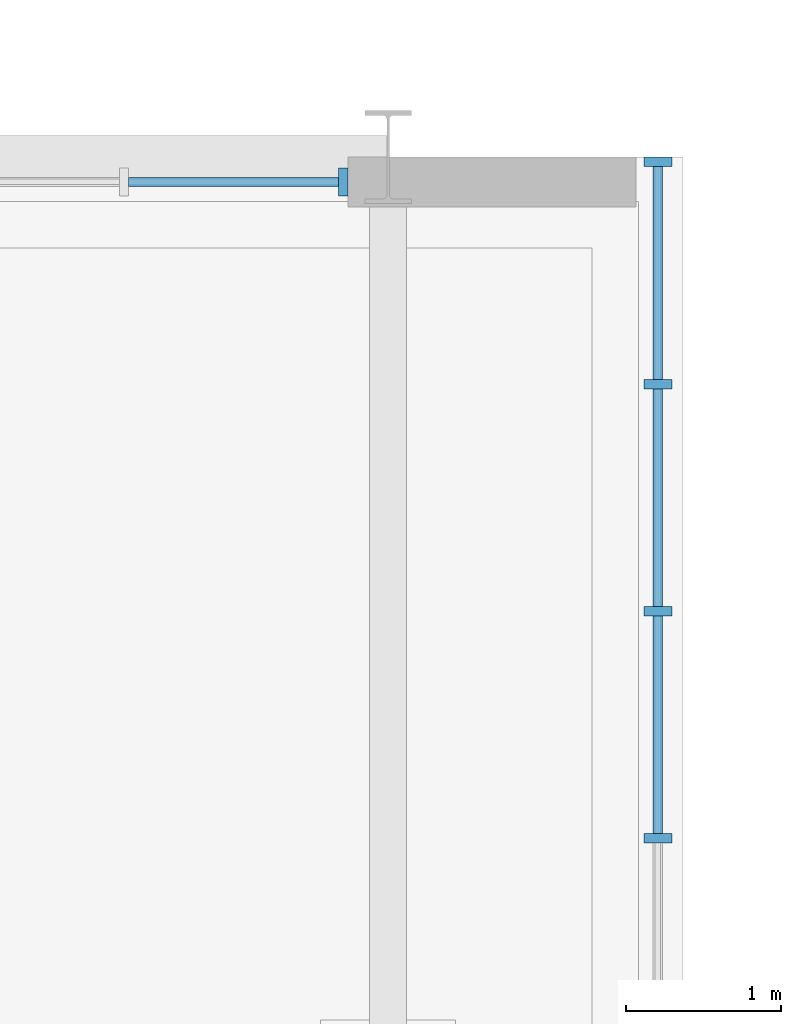
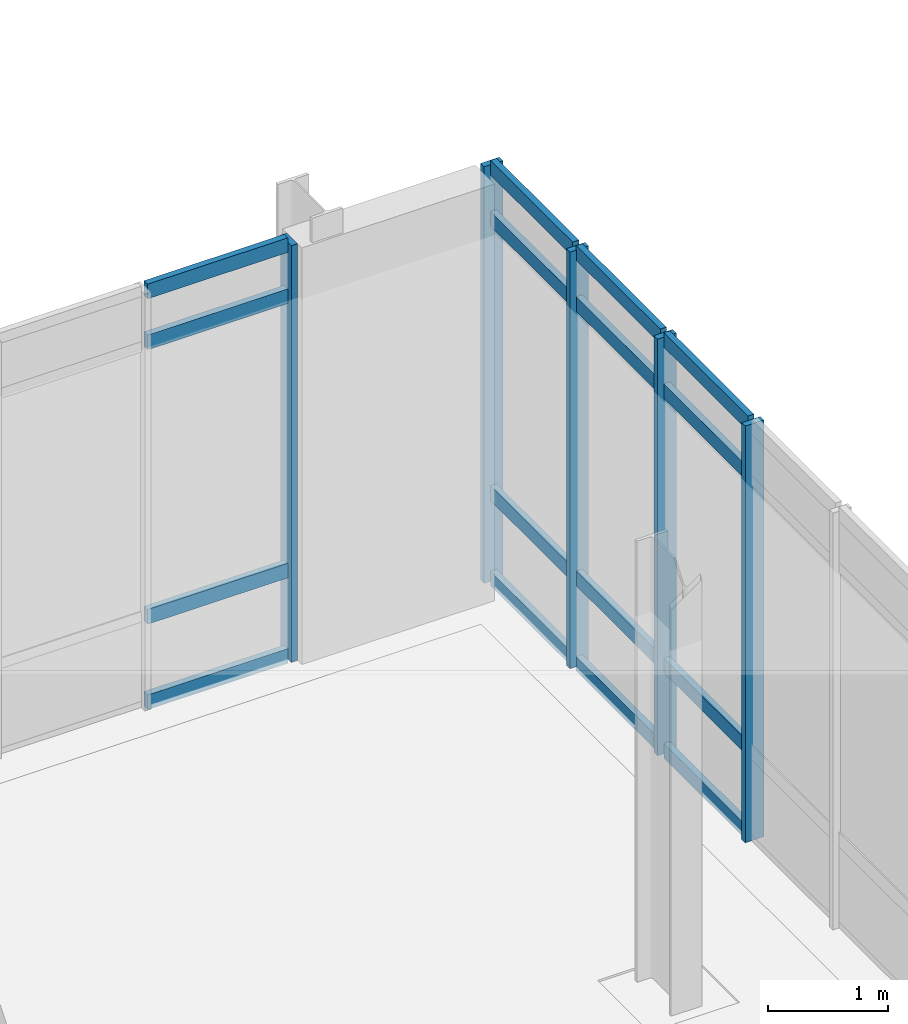
# One storey, part 33 of 100: 21 members, 2 elements without a shape of their own.
"""IFC4 building model written with IfcOpenShell, lengths in metres."""

from ifc_helpers import new_model, si_unit, direction, frame, origin, origin_2d, place, context, subcontext, project, spatial, rectangle, extrude, material, material_profile, profile_set, type_object, element, aggregate, save


model = new_model("IFC4")

# Units and contexts
model_context = context("Model", 3, precision=1e-05, world=origin(), true_north=direction((0.0, 1.0)))
body_context = subcontext(model_context, "Body", "Model", "MODEL_VIEW")
ifc_project = project(units=[si_unit("LENGTHUNIT", "METRE"), si_unit("AREAUNIT", "SQUARE_METRE"), si_unit("VOLUMEUNIT", "CUBIC_METRE"), si_unit("PLANEANGLEUNIT", "RADIAN"), si_unit("MASSUNIT", "GRAM", prefix="KILO")], contexts=[model_context])

# Site, building, storey
site_placement = place(None, origin())
site = spatial("IfcSite", under=ifc_project, at=site_placement, CompositionType="ELEMENT")
building_placement = place(site_placement, origin())
building = spatial("IfcBuilding", under=site, at=building_placement, Name="Cymarion Research Institute", CompositionType="ELEMENT")
storey_placement = place(building_placement, frame((0.0, 0.0, 4.800048828125)))
storey = spatial("IfcBuildingStorey", under=building, at=storey_placement, Name="L01", CompositionType="ELEMENT", Elevation=4.800048828125)

# Curtain wall, members
ifc_material_1 = material(Name="Anodised aluminium unitised curtain wall with Low-E glazing", Category="aluminium")
curtain_wall_type_1 = type_object("IfcCurtainWallType", Name="UNITISED CURTAIN WALL CW08 7320X4250", PredefinedType="NOTDEFINED", material=ifc_material_1)
curtain_wall_1_placement = place(storey_placement, origin())
curtain_wall_1 = element("IfcCurtainWall", 1, at=curtain_wall_1_placement, inside=storey, type_object=curtain_wall_type_1, Name="L01 V2 unitised curtain wall CW08 #23", PredefinedType="NOTDEFINED")
ifc_material_2 = material(Name="Anodised aluminium framing", Category="aluminium")
ifc_material_profile_1 = material_profile(ifc_material_2, rectangle(XDim=0.06005859375, YDim=0.179931640625, at=origin_2d()), Name="ALU MULLION 60x180")
ifc_profile_set_1 = profile_set([ifc_material_profile_1], Name="Anodised aluminium framing")
member_type_1 = type_object("IfcMemberType", Name="CURTAIN WALL MULLION ML01 60X180", PredefinedType="MULLION", material=ifc_profile_set_1)
member_1_placement = place(storey_placement, frame((104.340087890625, 37.10791015625, 0.0), z_axis=(0.0, 0.0, 1.0), x_axis=(0.0, 1.0, 0.0)))
member_1 = element("IfcMember", 2, at=member_1_placement, type_object=member_type_1, Name="CW08 mullion 3", PredefinedType="MULLION", context=body_context, shape_type="SweptSolid", body=[
    extrude(rectangle(XDim=0.06005859375, YDim=0.179931640625, at=origin_2d()), origin(), (0.0, 0.0, 1.0), 4.25),
])
member_2_placement = place(storey_placement, frame((104.340087890625, 38.572021484375, 0.0), z_axis=(0.0, 0.0, 1.0), x_axis=(0.0, 1.0, 0.0)))
member_2 = element("IfcMember", 3, at=member_2_placement, type_object=member_type_1, Name="CW08 mullion 4", PredefinedType="MULLION", context=body_context, shape_type="SweptSolid", body=[
    extrude(rectangle(XDim=0.06005859375, YDim=0.179931640625, at=origin_2d()), origin(), (0.0, 0.0, 1.0), 4.25),
])
member_3_placement = place(storey_placement, frame((104.340087890625, 40.035888671875, 0.0), z_axis=(0.0, 0.0, 1.0), x_axis=(0.0, 1.0, 0.0)))
member_3 = element("IfcMember", 4, at=member_3_placement, type_object=member_type_1, Name="CW08 mullion 5", PredefinedType="MULLION", context=body_context, shape_type="SweptSolid", body=[
    extrude(rectangle(XDim=0.06005859375, YDim=0.179931640625, at=origin_2d()), origin(), (0.0, 0.0, 1.0), 4.25),
])
member_4_placement = place(storey_placement, frame((104.340087890625, 41.469970703125, 0.0), z_axis=(0.0, 0.0, 1.0), x_axis=(0.0, 1.0, 0.0)))
member_4 = element("IfcMember", 5, at=member_4_placement, type_object=member_type_1, Name="CW08 mullion 6", PredefinedType="MULLION", context=body_context, shape_type="SweptSolid", body=[
    extrude(rectangle(XDim=0.06005859375, YDim=0.179931640625, at=origin_2d()), origin(), (0.0, 0.0, 1.0), 4.25),
])

# Curtain wall, member
curtain_wall_type_2 = type_object("IfcCurtainWallType", Name="UNITISED CURTAIN WALL CW09 4330X4250", PredefinedType="NOTDEFINED", material=ifc_material_1)
curtain_wall_2_placement = place(storey_placement, origin())
curtain_wall_2 = element("IfcCurtainWall", 6, at=curtain_wall_2_placement, inside=storey, type_object=curtain_wall_type_2, Name="L01 V2 unitised curtain wall CW09 #24", PredefinedType="NOTDEFINED")
member_5_placement = place(storey_placement, frame((102.31005859375, 41.340087890625, 0.0), z_axis=(0.0, 0.0, 1.0), x_axis=(-1.0, 0.0, 0.0)))
member_5 = element("IfcMember", 7, at=member_5_placement, type_object=member_type_1, Name="CW09 mullion 1", PredefinedType="MULLION", context=body_context, shape_type="SweptSolid", body=[
    extrude(rectangle(XDim=0.06005859375, YDim=0.179931640625, at=origin_2d()), origin(), (0.0, 0.0, 1.0), 4.25),
])

# Member
ifc_material_profile_2 = material_profile(ifc_material_2, rectangle(XDim=0.06005859375, YDim=0.14990234375, at=origin_2d()), Name="ALU TRANSOM 60x150")
ifc_profile_set_2 = profile_set([ifc_material_profile_2], Name="Anodised aluminium framing")
member_type_2 = type_object("IfcMemberType", Name="CURTAIN WALL TRANSOM TR01 60X150", PredefinedType="USERDEFINED", material=ifc_profile_set_2)
member_6_placement = place(storey_placement, frame((104.340087890625, 37.137939453125, 0.030029296875), z_axis=(0.0, 1.0, 0.0), x_axis=(-1.0, 0.0, 0.0)))
member_6 = element("IfcMember", 8, at=member_6_placement, type_object=member_type_2, Name="CW08 transom 3.1", ObjectType="TRANSOM", PredefinedType="USERDEFINED", context=body_context, shape_type="SweptSolid", body=[
    extrude(rectangle(XDim=0.06005859375, YDim=0.14990234375, at=origin_2d()), origin(), (0.0, 0.0, 1.0), 1.404052734375),
])

member_7_placement = place(storey_placement, frame((104.340087890625, 37.137939453125, 0.89990234375), z_axis=(0.0, 1.0, 0.0), x_axis=(-1.0, 0.0, 0.0)))
member_7 = element("IfcMember", 9, at=member_7_placement, type_object=member_type_2, Name="CW08 transom 3.2", ObjectType="TRANSOM", PredefinedType="USERDEFINED", context=body_context, shape_type="SweptSolid", body=[
    extrude(rectangle(XDim=0.06005859375, YDim=0.14990234375, at=origin_2d()), origin(), (0.0, 0.0, 1.0), 1.404052734375),
])

member_8_placement = place(storey_placement, frame((104.340087890625, 37.137939453125, 3.699951171875), z_axis=(0.0, 1.0, 0.0), x_axis=(-1.0, 0.0, 0.0)))
member_8 = element("IfcMember", 10, at=member_8_placement, type_object=member_type_2, Name="CW08 transom 3.3", ObjectType="TRANSOM", PredefinedType="USERDEFINED", context=body_context, shape_type="SweptSolid", body=[
    extrude(rectangle(XDim=0.06005859375, YDim=0.14990234375, at=origin_2d()), origin(), (0.0, 0.0, 1.0), 1.404052734375),
])

member_9_placement = place(storey_placement, frame((104.340087890625, 37.137939453125, 4.219970703125), z_axis=(0.0, 1.0, 0.0), x_axis=(-1.0, 0.0, 0.0)))
member_9 = element("IfcMember", 11, at=member_9_placement, type_object=member_type_2, Name="CW08 transom 3.4", ObjectType="TRANSOM", PredefinedType="USERDEFINED", context=body_context, shape_type="SweptSolid", body=[
    extrude(rectangle(XDim=0.06005859375, YDim=0.14990234375, at=origin_2d()), origin(), (0.0, 0.0, 1.0), 1.404052734375),
])

member_10_placement = place(storey_placement, frame((104.340087890625, 38.60205078125, 0.030029296875), z_axis=(0.0, 1.0, 0.0), x_axis=(-1.0, 0.0, 0.0)))
member_10 = element("IfcMember", 12, at=member_10_placement, type_object=member_type_2, Name="CW08 transom 4.1", ObjectType="TRANSOM", PredefinedType="USERDEFINED", context=body_context, shape_type="SweptSolid", body=[
    extrude(rectangle(XDim=0.06005859375, YDim=0.14990234375, at=origin_2d()), origin(), (0.0, 0.0, 1.0), 1.404052734375),
])

member_11_placement = place(storey_placement, frame((104.340087890625, 38.60205078125, 0.89990234375), z_axis=(0.0, 1.0, 0.0), x_axis=(-1.0, 0.0, 0.0)))
member_11 = element("IfcMember", 13, at=member_11_placement, type_object=member_type_2, Name="CW08 transom 4.2", ObjectType="TRANSOM", PredefinedType="USERDEFINED", context=body_context, shape_type="SweptSolid", body=[
    extrude(rectangle(XDim=0.06005859375, YDim=0.14990234375, at=origin_2d()), origin(), (0.0, 0.0, 1.0), 1.404052734375),
])

member_12_placement = place(storey_placement, frame((104.340087890625, 38.60205078125, 3.699951171875), z_axis=(0.0, 1.0, 0.0), x_axis=(-1.0, 0.0, 0.0)))
member_12 = element("IfcMember", 14, at=member_12_placement, type_object=member_type_2, Name="CW08 transom 4.3", ObjectType="TRANSOM", PredefinedType="USERDEFINED", context=body_context, shape_type="SweptSolid", body=[
    extrude(rectangle(XDim=0.06005859375, YDim=0.14990234375, at=origin_2d()), origin(), (0.0, 0.0, 1.0), 1.404052734375),
])

member_13_placement = place(storey_placement, frame((104.340087890625, 38.60205078125, 4.219970703125), z_axis=(0.0, 1.0, 0.0), x_axis=(-1.0, 0.0, 0.0)))
member_13 = element("IfcMember", 15, at=member_13_placement, type_object=member_type_2, Name="CW08 transom 4.4", ObjectType="TRANSOM", PredefinedType="USERDEFINED", context=body_context, shape_type="SweptSolid", body=[
    extrude(rectangle(XDim=0.06005859375, YDim=0.14990234375, at=origin_2d()), origin(), (0.0, 0.0, 1.0), 1.404052734375),
])

member_14_placement = place(storey_placement, frame((104.340087890625, 40.06591796875, 0.030029296875), z_axis=(0.0, 1.0, 0.0), x_axis=(-1.0, 0.0, 0.0)))
member_14 = element("IfcMember", 16, at=member_14_placement, type_object=member_type_2, Name="CW08 transom 5.1", ObjectType="TRANSOM", PredefinedType="USERDEFINED", context=body_context, shape_type="SweptSolid", body=[
    extrude(rectangle(XDim=0.06005859375, YDim=0.14990234375, at=origin_2d()), origin(), (0.0, 0.0, 1.0), 1.3740234375),
])

member_15_placement = place(storey_placement, frame((104.340087890625, 40.06591796875, 0.89990234375), z_axis=(0.0, 1.0, 0.0), x_axis=(-1.0, 0.0, 0.0)))
member_15 = element("IfcMember", 17, at=member_15_placement, type_object=member_type_2, Name="CW08 transom 5.2", ObjectType="TRANSOM", PredefinedType="USERDEFINED", context=body_context, shape_type="SweptSolid", body=[
    extrude(rectangle(XDim=0.06005859375, YDim=0.14990234375, at=origin_2d()), origin(), (0.0, 0.0, 1.0), 1.3740234375),
])

member_16_placement = place(storey_placement, frame((104.340087890625, 40.06591796875, 3.699951171875), z_axis=(0.0, 1.0, 0.0), x_axis=(-1.0, 0.0, 0.0)))
member_16 = element("IfcMember", 18, at=member_16_placement, type_object=member_type_2, Name="CW08 transom 5.3", ObjectType="TRANSOM", PredefinedType="USERDEFINED", context=body_context, shape_type="SweptSolid", body=[
    extrude(rectangle(XDim=0.06005859375, YDim=0.14990234375, at=origin_2d()), origin(), (0.0, 0.0, 1.0), 1.3740234375),
])

member_17_placement = place(storey_placement, frame((104.340087890625, 40.06591796875, 4.219970703125), z_axis=(0.0, 1.0, 0.0), x_axis=(-1.0, 0.0, 0.0)))
member_17 = element("IfcMember", 19, at=member_17_placement, type_object=member_type_2, Name="CW08 transom 5.4", ObjectType="TRANSOM", PredefinedType="USERDEFINED", context=body_context, shape_type="SweptSolid", body=[
    extrude(rectangle(XDim=0.06005859375, YDim=0.14990234375, at=origin_2d()), origin(), (0.0, 0.0, 1.0), 1.3740234375),
])

aggregate(curtain_wall_1, [member_1, member_2, member_3, member_4, member_6, member_7, member_8, member_9, member_10, member_11, member_12, member_13, member_14, member_15, member_16, member_17])

member_18_placement = place(storey_placement, frame((102.280029296875, 41.340087890625, 0.030029296875), z_axis=(-1.0, 0.0, 0.0), x_axis=(0.0, -1.0, 0.0)))
member_18 = element("IfcMember", 20, at=member_18_placement, type_object=member_type_2, Name="CW09 transom 1.1", ObjectType="TRANSOM", PredefinedType="USERDEFINED", context=body_context, shape_type="SweptSolid", body=[
    extrude(rectangle(XDim=0.06005859375, YDim=0.14990234375, at=origin_2d()), origin(), (0.0, 0.0, 1.0), 1.35302734375),
])

member_19_placement = place(storey_placement, frame((102.280029296875, 41.340087890625, 0.89990234375), z_axis=(-1.0, 0.0, 0.0), x_axis=(0.0, -1.0, 0.0)))
member_19 = element("IfcMember", 21, at=member_19_placement, type_object=member_type_2, Name="CW09 transom 1.2", ObjectType="TRANSOM", PredefinedType="USERDEFINED", context=body_context, shape_type="SweptSolid", body=[
    extrude(rectangle(XDim=0.06005859375, YDim=0.14990234375, at=origin_2d()), origin(), (0.0, 0.0, 1.0), 1.35302734375),
])

member_20_placement = place(storey_placement, frame((102.280029296875, 41.340087890625, 3.699951171875), z_axis=(-1.0, 0.0, 0.0), x_axis=(0.0, -1.0, 0.0)))
member_20 = element("IfcMember", 22, at=member_20_placement, type_object=member_type_2, Name="CW09 transom 1.3", ObjectType="TRANSOM", PredefinedType="USERDEFINED", context=body_context, shape_type="SweptSolid", body=[
    extrude(rectangle(XDim=0.06005859375, YDim=0.14990234375, at=origin_2d()), origin(), (0.0, 0.0, 1.0), 1.35302734375),
])

member_21_placement = place(storey_placement, frame((102.280029296875, 41.340087890625, 4.219970703125), z_axis=(-1.0, 0.0, 0.0), x_axis=(0.0, -1.0, 0.0)))
member_21 = element("IfcMember", 23, at=member_21_placement, type_object=member_type_2, Name="CW09 transom 1.4", ObjectType="TRANSOM", PredefinedType="USERDEFINED", context=body_context, shape_type="SweptSolid", body=[
    extrude(rectangle(XDim=0.06005859375, YDim=0.14990234375, at=origin_2d()), origin(), (0.0, 0.0, 1.0), 1.35302734375),
])

aggregate(curtain_wall_2, [member_5, member_18, member_19, member_20, member_21])

save(model, "model.ifc")
